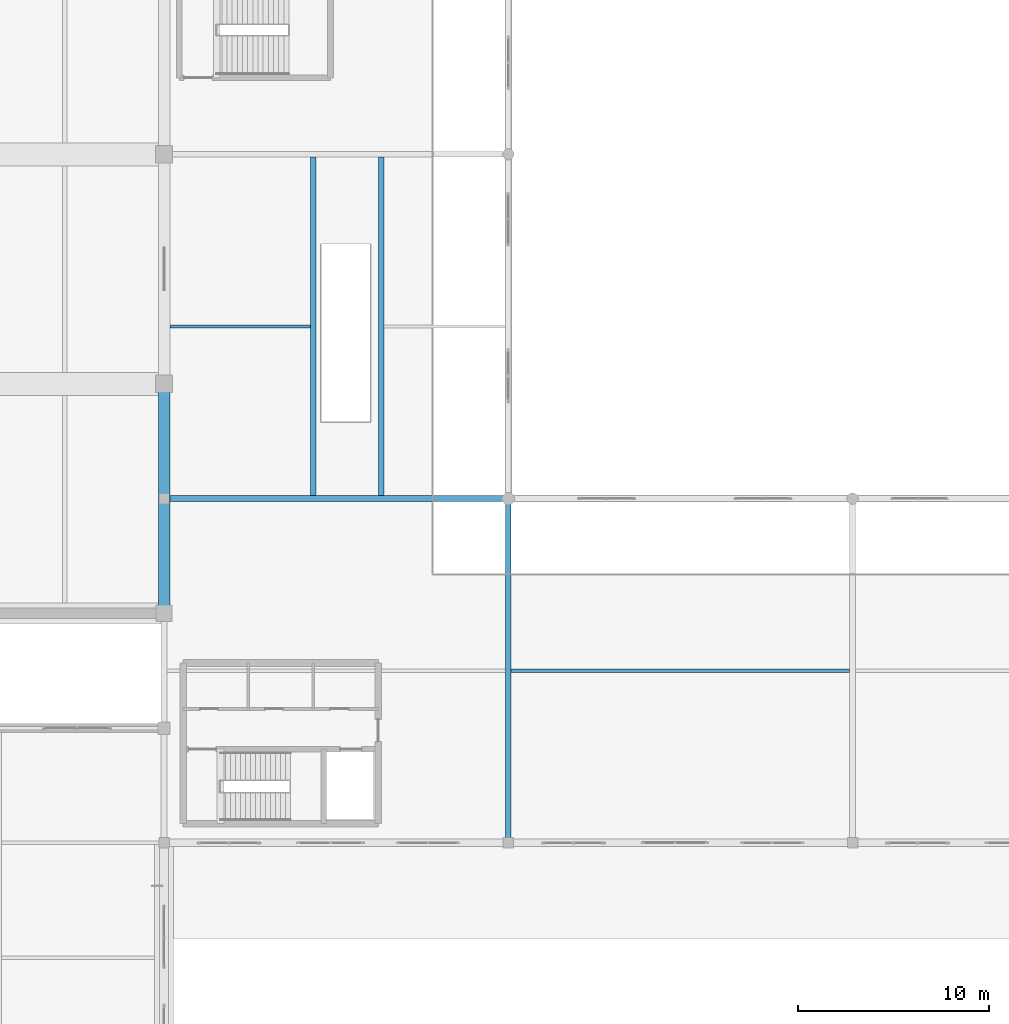
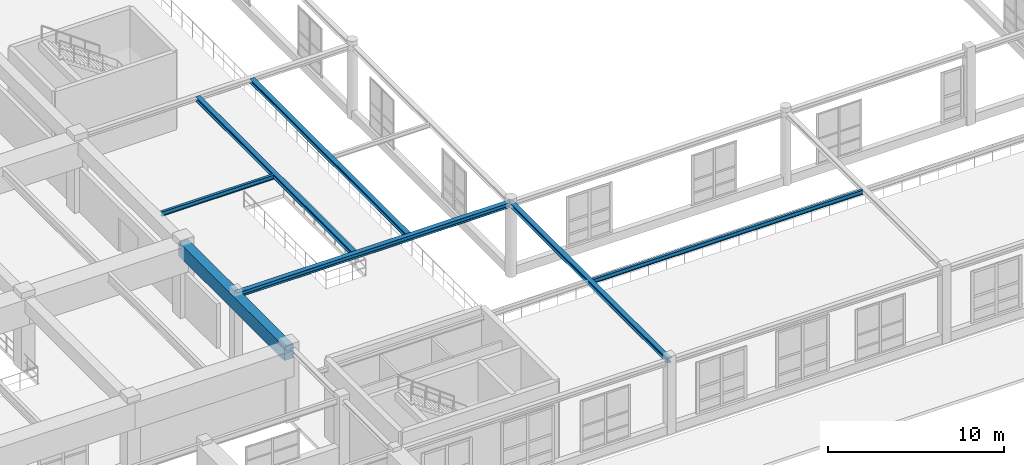
# One storey, part 51 of 197: 7 beams.
"""IFC4 building model written with IfcOpenShell, lengths in metres."""

from ifc_helpers import new_model, si_unit, derived_unit, direction, frame, origin, origin_2d, place, context, subcontext, project, spatial, rectangle, i_section, extrude, material, material_profile, profile_set, type_object, element, save


model = new_model("IFC4")

# Units and contexts
model_context = context("Model", 3, precision=1e-05, world=origin(), true_north=direction((0.0, 1.0)))
body_context = subcontext(model_context, "Body", "Model", "MODEL_VIEW")
ifc_project = project(units=[si_unit("LENGTHUNIT", "METRE"), si_unit("AREAUNIT", "SQUARE_METRE"), si_unit("VOLUMEUNIT", "CUBIC_METRE"), si_unit("PLANEANGLEUNIT", "RADIAN"), si_unit("MASSUNIT", "GRAM", prefix="KILO"), derived_unit("THERMALTRANSMITTANCEUNIT", [(si_unit("POWERUNIT", "WATT"), 1), (si_unit("LENGTHUNIT", "METRE"), -2), (si_unit("THERMODYNAMICTEMPERATUREUNIT", "KELVIN"), -1)])], contexts=[model_context])

# Site, building, storey
site_placement = place(None, origin())
site = spatial("IfcSite", under=ifc_project, at=site_placement, CompositionType="ELEMENT")
building_placement = place(site_placement, origin())
building = spatial("IfcBuilding", under=site, at=building_placement, Name="Almenara Railside Exhibition Hall", CompositionType="ELEMENT")
storey_placement = place(building_placement, frame((0.0, 0.0, 5.39990234375)))
storey = spatial("IfcBuildingStorey", under=building, at=storey_placement, Name="L01", CompositionType="ELEMENT", Elevation=5.39990234375)

# Beams
ifc_material_1 = material(Name="Concrete C40/50", Category="concrete")
ifc_material_profile_1 = material_profile(ifc_material_1, rectangle(XDim=0.60009765625, YDim=0.949951171875, at=origin_2d()), Name="RC 600x950")
ifc_profile_set_1 = profile_set([ifc_material_profile_1], Name="Concrete C40/50")
beam_type_1 = type_object("IfcBeamType", Name="RC Hall Edge Beam 600x950 C40/50", PredefinedType="BEAM", material=ifc_profile_set_1)
beam_1_placement = place(storey_placement, frame((66.0, 48.0, 4.52099609375), z_axis=(0.0, 1.0, 0.0), x_axis=(-1.0, 0.0, 0.0)))
element("IfcBeam", 1, at=beam_1_placement, inside=storey, type_object=beam_type_1, Name="Beam 0592", PredefinedType="BEAM", context=body_context, shape_type="SweptSolid", body=[
    extrude(rectangle(XDim=0.60009765625, YDim=0.949951171875, at=origin_2d()), origin(), (0.0, 0.0, 1.0), 12.0),
])
ifc_material_2 = material(Name="Structural steel S355JR", Category="steel")
ifc_material_profile_2 = material_profile(ifc_material_2, i_section(OverallWidth=0.300048828125, OverallDepth=0.31005859375, WebThickness=0.009033203125, FlangeThickness=0.015380859375, FilletRadius=0.027099609375, at=origin_2d()), Name="HEA 320")
ifc_profile_set_2 = profile_set([ifc_material_profile_2], Name="Structural steel S355JR")
beam_type_2 = type_object("IfcBeamType", Name="Steel Concourse Edge Beam HEA 320 S355JR", PredefinedType="BEAM", material=ifc_profile_set_2)
for number, where, z_axis, x_axis, name in (
    (2, (73.800048828125, 54.14990234375, 4.93505859375), (0.0, 1.0, 0.0), (-1.0, 0.0, 0.0), "Beam 0728"),
    (3, (77.35009765625, 54.14990234375, 4.93505859375), (0.0, 1.0, 0.0), (-1.0, 0.0, 0.0), "Beam 0729"),
):
    element("IfcBeam", number, at=place(storey_placement, frame(where, z_axis=z_axis, x_axis=x_axis)), inside=storey, type_object=beam_type_2, Name=name, PredefinedType="BEAM", context=body_context, shape_type="SweptSolid", body=[
        extrude(i_section(OverallWidth=0.300048828125, OverallDepth=0.31005859375, WebThickness=0.009033203125, FlangeThickness=0.015380859375, FilletRadius=0.027099609375, at=origin_2d()), origin(), (0.0, 0.0, 1.0), 17.7001953125),
    ])
beam_2_placement = place(storey_placement, frame((84.0, 36.0, 4.93505859375), z_axis=(0.0, 1.0, 0.0), x_axis=(-1.0, 0.0, 0.0)))
element("IfcBeam", 4, at=beam_2_placement, inside=storey, type_object=beam_type_2, Name="Beam 0812", PredefinedType="BEAM", context=body_context, shape_type="SweptSolid", body=[
    extrude(i_section(OverallWidth=0.300048828125, OverallDepth=0.31005859375, WebThickness=0.009033203125, FlangeThickness=0.015380859375, FilletRadius=0.027099609375, at=origin_2d()), origin(), (0.0, 0.0, 1.0), 18.0),
])
ifc_material_profile_3 = material_profile(ifc_material_2, i_section(OverallWidth=0.300048828125, OverallDepth=0.35009765625, WebThickness=0.010009765625, FlangeThickness=0.017578125, FilletRadius=0.027099609375, at=origin_2d()), Name="HEA 360")
ifc_profile_set_3 = profile_set([ifc_material_profile_3], Name="Structural steel S355JR")
beam_type_3 = type_object("IfcBeamType", Name="Steel Concourse Frame Beam HEA 360 S355JR", PredefinedType="BEAM", material=ifc_profile_set_3)
beam_3_placement = place(storey_placement, frame((66.0, 54.0, 4.9150390625), z_axis=(1.0, 0.0, 0.0), x_axis=(0.0, 1.0, 0.0)))
element("IfcBeam", 5, at=beam_3_placement, inside=storey, type_object=beam_type_3, Name="Beam 0787", PredefinedType="BEAM", context=body_context, shape_type="SweptSolid", body=[
    extrude(i_section(OverallWidth=0.300048828125, OverallDepth=0.35009765625, WebThickness=0.010009765625, FlangeThickness=0.017578125, FilletRadius=0.027099609375, at=origin_2d()), origin(), (0.0, 0.0, 1.0), 18.0),
])
ifc_material_profile_4 = material_profile(ifc_material_2, i_section(OverallWidth=0.165771484375, OverallDepth=0.306640625, WebThickness=0.006591796875, FlangeThickness=0.01171875, FilletRadius=0.0087890625, at=origin_2d()), Name="UB 305x165x46")
ifc_profile_set_4 = profile_set([ifc_material_profile_4], Name="Structural steel S355JR")
beam_type_4 = type_object("IfcBeamType", Name="Steel Walkway Joist UB 305x165x46 S355JR", PredefinedType="JOIST", material=ifc_profile_set_4)
beam_4_placement = place(storey_placement, frame((84.14990234375, 45.0, 4.936767578125), z_axis=(1.0, 0.0, 0.0), x_axis=(0.0, 1.0, 0.0)))
element("IfcBeam", 6, at=beam_4_placement, inside=storey, type_object=beam_type_4, Name="Beam 0782", PredefinedType="JOIST", context=body_context, shape_type="SweptSolid", body=[
    extrude(i_section(OverallWidth=0.165771484375, OverallDepth=0.306640625, WebThickness=0.006591796875, FlangeThickness=0.01171875, FilletRadius=0.0087890625, at=origin_2d()), origin(), (0.0, 0.0, 1.0), 17.7001953125),
])
beam_5_placement = place(storey_placement, frame((66.300048828125, 63.0, 4.936767578125), z_axis=(1.0, 0.0, 0.0), x_axis=(0.0, 1.0, 0.0)))
element("IfcBeam", 7, at=beam_5_placement, inside=storey, type_object=beam_type_4, Name="Beam 0789", PredefinedType="JOIST", context=body_context, shape_type="SweptSolid", body=[
    extrude(i_section(OverallWidth=0.165771484375, OverallDepth=0.306640625, WebThickness=0.006591796875, FlangeThickness=0.01171875, FilletRadius=0.0087890625, at=origin_2d()), origin(), (0.0, 0.0, 1.0), 7.349853515625),
])

save(model, "model.ifc")
